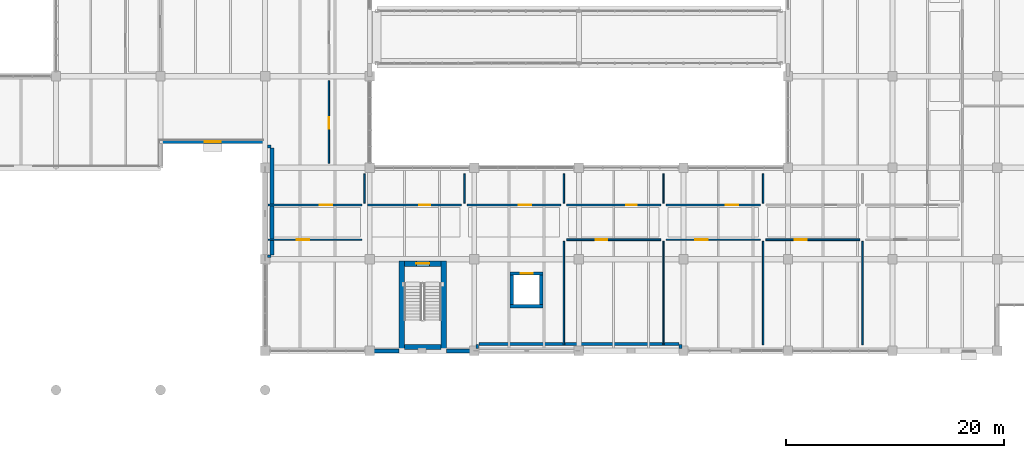
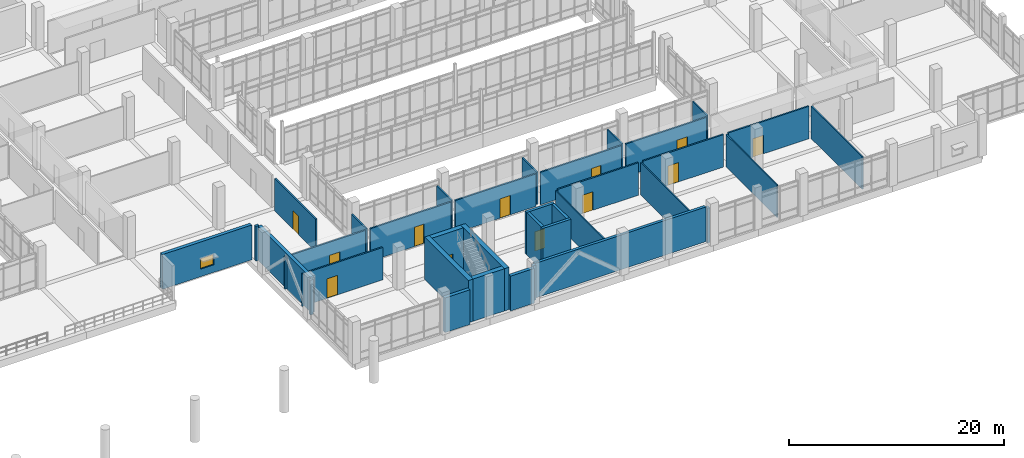
# One storey, part 127 of 152: 36 walls, 12 doors, 1 window, 13 openings.
"""IFC4 building model written with IfcOpenShell, lengths in metres."""

from ifc_helpers import new_model, si_unit, direction, frame, frame_2d, origin, place, context, subcontext, project, spatial, rectangle, extrude, material, layer, layer_set, type_object, element, fill, save


model = new_model("IFC4")

# Units and contexts
model_context = context("Model", 3, precision=1e-05, world=origin(), true_north=direction((0.0, 1.0)))
body_context = subcontext(model_context, "Body", "Model", "MODEL_VIEW")
ifc_project = project(units=[si_unit("LENGTHUNIT", "METRE"), si_unit("AREAUNIT", "SQUARE_METRE"), si_unit("VOLUMEUNIT", "CUBIC_METRE"), si_unit("PLANEANGLEUNIT", "RADIAN"), si_unit("MASSUNIT", "GRAM", prefix="KILO")], contexts=[model_context])

# Site, building, storey
site_placement = place(None, origin())
site = spatial("IfcSite", under=ifc_project, at=site_placement, CompositionType="ELEMENT")
building_placement = place(site_placement, origin())
building = spatial("IfcBuilding", under=site, at=building_placement, Name="Oolite Switchyard Hospital", CompositionType="ELEMENT")
storey_placement = place(building_placement, frame((0.0, 0.0, 5.10009765625)))
storey = spatial("IfcBuildingStorey", under=building, at=storey_placement, Name="L01", CompositionType="ELEMENT", Elevation=5.10009765625)

# Walls
ifc_material_1 = material(Name="Precast oolitic limestone architectural concrete C40/50", Category="masonry")
ifc_layer_1 = layer(ifc_material_1, 0.260009765625)
ifc_layer_set_1 = layer_set([ifc_layer_1], Name="WAL-EXT-260")
wall_type_1 = type_object("IfcWallType", Name="WAL-EXT-260", PredefinedType="SOLIDWALL", material=ifc_layer_set_1)
for number, where, z_axis, x_axis, name in (
    (1, (172.52001953125, 8.60009765625, 0.0), (0.0, 0.0, 1.0), (0.0, 1.0, 0.0), "L01 Brace Alcove Cheek Wall 76"),
    (2, (153.8798828125, 8.60009765625, 0.0), (0.0, 0.0, 1.0), (0.0, 1.0, 0.0), "L01 Brace Alcove Cheek Wall 77"),
    (3, (134.60009765625, 17.080078125, 0.0), (0.0, 0.0, 1.0), (1.0, 0.0, 0.0), "L01 Brace Alcove Cheek Wall 114"),
    (4, (134.60009765625, 27.159912109375, 0.0), (0.0, 0.0, 1.0), (1.0, 0.0, 0.0), "L01 Brace Alcove Cheek Wall 115"),
):
    element("IfcWall", number, at=place(storey_placement, frame(where, z_axis=z_axis, x_axis=x_axis)), inside=storey, type_object=wall_type_1, Name=name, PredefinedType="SOLIDWALL", context=body_context, shape_type="SweptSolid", body=[
        extrude(rectangle(XDim=0.35986328125, YDim=0.260009765625, at=frame_2d((0.179931640625, 0.0))), origin(), (0.0, 0.0, 1.0), 3.93994140625),
    ])
ifc_layer_2 = layer(ifc_material_1, 0.300048828125)
ifc_layer_set_2 = layer_set([ifc_layer_2], Name="WAL-EXT-300")
wall_type_2 = type_object("IfcWallType", Name="WAL-EXT-300", PredefinedType="SOLIDWALL", material=ifc_layer_set_2)
wall_1_placement = place(storey_placement, frame((172.3798828125, 9.02001953125, 0.0), z_axis=(0.0, 0.0, 1.0), x_axis=(-1.0, 0.0, 0.0)))
element("IfcWall", 5, at=wall_1_placement, inside=storey, type_object=wall_type_2, Name="L01 Exterior Spandrel Wall 78", PredefinedType="SOLIDWALL", context=body_context, shape_type="SweptSolid", body=[
    extrude(rectangle(XDim=18.35986328125, YDim=0.300048828125, at=frame_2d((9.179931640625, 0.0))), origin(), (0.0, 0.0, 1.0), 3.93994140625),
])
ifc_layer_3 = layer(ifc_material_1, 0.360107421875)
ifc_layer_set_3 = layer_set([ifc_layer_3], Name="WAL-EXT-360")
wall_type_3 = type_object("IfcWallType", Name="WAL-EXT-360", PredefinedType="SOLIDWALL", material=ifc_layer_set_3)
wall_2_placement = place(storey_placement, frame((153.60009765625, 8.39990234375, 0.0), z_axis=(0.0, 0.0, 1.0), x_axis=(-1.0, 0.0, 0.0)))
element("IfcWall", 6, at=wall_2_placement, inside=storey, type_object=wall_type_3, Name="L01 Exterior Spandrel Wall 74", PredefinedType="SOLIDWALL", context=body_context, shape_type="SweptSolid", body=[
    extrude(rectangle(XDim=2.5400390625, YDim=0.360107421875, at=frame_2d((1.27001953125, 0.0))), origin(), (0.0, 0.0, 1.0), 3.93994140625),
])

# Wall, opening, window
wall_3_placement = place(storey_placement, frame((134.39990234375, 27.60009765625, 0.0), z_axis=(0.0, 0.0, 1.0), x_axis=(-1.0, 0.0, 0.0)))
wall_3 = element("IfcWall", 7, at=wall_3_placement, inside=storey, type_object=wall_type_3, Name="L01 Exterior Spandrel Wall 81", PredefinedType="SOLIDWALL", context=body_context, shape_type="SweptSolid", body=[
    extrude(rectangle(XDim=9.599853515625, YDim=0.360107421875, at=frame_2d((4.7998046875, 0.0))), origin(), (0.0, 0.0, 1.0), 3.93994140625),
])
opening_1_placement = place(wall_3_placement, frame((4.074951171875, 0.0, 0.85009765625)))
opening_1 = element("IfcOpeningElement", 8, at=opening_1_placement, cuts=wall_3, Name="Opening WN-0026", PredefinedType="OPENING", context=body_context, shape_type="SweptSolid", body=[
    extrude(rectangle(XDim=1.449951171875, YDim=1.199951171875, at=frame_2d((0.72509765625, 0.60009765625))), frame((0.0, 0.18994140625, 0.0), z_axis=(0.0, -1.0, 0.0), x_axis=(1.0, 0.0, 0.0)), (0.0, 0.0, 1.0), 0.380126953125),
])
ifc_material_2 = material(Name="Thermally broken aluminum frame with laminated impact glazing", Category="aluminium")
window_type = type_object("IfcWindowType", Name="WIN-IMP-145X120", PartitioningType="SINGLE_PANEL", PredefinedType="WINDOW", material=ifc_material_2)
window_placement = place(opening_1_placement, origin())
window = element("IfcWindow", 9, at=window_placement, inside=storey, type_object=window_type, Name="L01 Hurricane Impact Window WN-0026", OverallHeight=1.199951171875, OverallWidth=1.449951171875, PartitioningType="SINGLE_PANEL", PredefinedType="WINDOW", context=body_context, shape_type="SweptSolid", body=[
    extrude(rectangle(XDim=1.449951171875, YDim=1.199951171875, at=frame_2d((0.72509765625, 0.60009765625))), frame((0.0, 0.030029296875, 0.0), z_axis=(0.0, -1.0, 0.0), x_axis=(1.0, 0.0, 0.0)), (0.0, 0.0, 1.0), 0.06005859375),
])
fill(opening_1, window)

# Walls
wall_4_placement = place(storey_placement, frame((135.02001953125, 17.219970703125, 0.0), z_axis=(0.0, 0.0, 1.0), x_axis=(0.0, 1.0, 0.0)))
element("IfcWall", 10, at=wall_4_placement, inside=storey, type_object=wall_type_3, Name="L01 Exterior Spandrel Wall 116", PredefinedType="SOLIDWALL", context=body_context, shape_type="SweptSolid", body=[
    extrude(rectangle(XDim=9.800048828125, YDim=0.360107421875, at=frame_2d((4.89990234375, 0.0))), origin(), (0.0, 0.0, 1.0), 3.93994140625),
])
ifc_layer_4 = layer(ifc_material_1, 0.3798828125)
ifc_layer_set_4 = layer_set([ifc_layer_4], Name="WAL-EXT-380")
wall_type_4 = type_object("IfcWallType", Name="WAL-EXT-380", PredefinedType="SOLIDWALL", material=ifc_layer_set_4)
wall_5_placement = place(storey_placement, frame((146.699951171875, 8.39990234375, 0.0), z_axis=(0.0, 0.0, 1.0), x_axis=(-1.0, 0.0, 0.0)))
element("IfcWall", 11, at=wall_5_placement, inside=storey, type_object=wall_type_4, Name="L01 Exterior Spandrel Wall 75", PredefinedType="SOLIDWALL", context=body_context, shape_type="SweptSolid", body=[
    extrude(rectangle(XDim=2.699951171875, YDim=0.3798828125, at=frame_2d((1.35009765625, 0.0))), origin(), (0.0, 0.0, 1.0), 3.93994140625),
])
ifc_material_3 = material(Name="Moisture-resistant gypsum board on steel studs", Category="steel")
ifc_layer_5 = layer(ifc_material_3, 0.135009765625)
ifc_layer_set_5 = layer_set([ifc_layer_5], Name="WAL-PART-135")
wall_type_5 = type_object("IfcWallType", Name="WAL-PART-135", PredefinedType="PARTITIONING", material=ifc_layer_set_5)
for number, where, z_axis, x_axis, name in (
    (12, (143.54296875, 21.949951171875, 0.0), (0.0, 0.0, 1.0), (0.0, 1.0, 0.0), "L01 Interior Partition 358"),
    (13, (152.68603515625, 21.949951171875, 0.0), (0.0, 0.0, 1.0), (0.0, 1.0, 0.0), "L01 Interior Partition 360"),
):
    element("IfcWall", number, at=place(storey_placement, frame(where, z_axis=z_axis, x_axis=x_axis)), inside=storey, type_object=wall_type_5, Name=name, PredefinedType="PARTITIONING", context=body_context, shape_type="SweptSolid", body=[
        extrude(rectangle(XDim=2.699951171875, YDim=0.135009765625, at=frame_2d((1.35009765625, 0.0))), origin(), (0.0, 0.0, 1.0), 3.679931640625),
    ])
wall_6_placement = place(storey_placement, frame((161.8291015625, 8.949951171875, 0.0), z_axis=(0.0, 0.0, 1.0), x_axis=(0.0, 1.0, 0.0)))
element("IfcWall", 14, at=wall_6_placement, inside=storey, type_object=wall_type_5, Name="L01 Interior Partition 362", PredefinedType="PARTITIONING", context=body_context, shape_type="SweptSolid", body=[
    extrude(rectangle(XDim=9.5, YDim=0.135009765625, at=frame_2d((4.75, 0.0))), origin(), (0.0, 0.0, 1.0), 3.679931640625),
])
wall_7_placement = place(storey_placement, frame((161.8291015625, 21.949951171875, 0.0), z_axis=(0.0, 0.0, 1.0), x_axis=(0.0, 1.0, 0.0)))
element("IfcWall", 15, at=wall_7_placement, inside=storey, type_object=wall_type_5, Name="L01 Interior Partition 364", PredefinedType="PARTITIONING", context=body_context, shape_type="SweptSolid", body=[
    extrude(rectangle(XDim=2.699951171875, YDim=0.135009765625, at=frame_2d((1.35009765625, 0.0))), origin(), (0.0, 0.0, 1.0), 3.679931640625),
])
wall_8_placement = place(storey_placement, frame((170.971923828125, 8.949951171875, 0.0), z_axis=(0.0, 0.0, 1.0), x_axis=(0.0, 1.0, 0.0)))
element("IfcWall", 16, at=wall_8_placement, inside=storey, type_object=wall_type_5, Name="L01 Interior Partition 366", PredefinedType="PARTITIONING", context=body_context, shape_type="SweptSolid", body=[
    extrude(rectangle(XDim=9.5, YDim=0.135009765625, at=frame_2d((4.75, 0.0))), origin(), (0.0, 0.0, 1.0), 3.679931640625),
])
wall_9_placement = place(storey_placement, frame((170.971923828125, 21.949951171875, 0.0), z_axis=(0.0, 0.0, 1.0), x_axis=(0.0, 1.0, 0.0)))
element("IfcWall", 17, at=wall_9_placement, inside=storey, type_object=wall_type_5, Name="L01 Interior Partition 368", PredefinedType="PARTITIONING", context=body_context, shape_type="SweptSolid", body=[
    extrude(rectangle(XDim=2.699951171875, YDim=0.135009765625, at=frame_2d((1.35009765625, 0.0))), origin(), (0.0, 0.0, 1.0), 3.679931640625),
])
wall_10_placement = place(storey_placement, frame((180.114990234375, 8.949951171875, 0.0), z_axis=(0.0, 0.0, 1.0), x_axis=(0.0, 1.0, 0.0)))
element("IfcWall", 18, at=wall_10_placement, inside=storey, type_object=wall_type_5, Name="L01 Interior Partition 370", PredefinedType="PARTITIONING", context=body_context, shape_type="SweptSolid", body=[
    extrude(rectangle(XDim=9.5, YDim=0.135009765625, at=frame_2d((4.75, 0.0))), origin(), (0.0, 0.0, 1.0), 3.679931640625),
])
wall_11_placement = place(storey_placement, frame((180.114990234375, 21.949951171875, 0.0), z_axis=(0.0, 0.0, 1.0), x_axis=(0.0, 1.0, 0.0)))
element("IfcWall", 19, at=wall_11_placement, inside=storey, type_object=wall_type_5, Name="L01 Interior Partition 372", PredefinedType="PARTITIONING", context=body_context, shape_type="SweptSolid", body=[
    extrude(rectangle(XDim=2.699951171875, YDim=0.135009765625, at=frame_2d((1.35009765625, 0.0))), origin(), (0.0, 0.0, 1.0), 3.679931640625),
])
wall_12_placement = place(storey_placement, frame((189.258056640625, 8.949951171875, 0.0), z_axis=(0.0, 0.0, 1.0), x_axis=(0.0, 1.0, 0.0)))
element("IfcWall", 20, at=wall_12_placement, inside=storey, type_object=wall_type_5, Name="L01 Interior Partition 374", PredefinedType="PARTITIONING", context=body_context, shape_type="SweptSolid", body=[
    extrude(rectangle(XDim=9.5, YDim=0.135009765625, at=frame_2d((4.75, 0.0))), origin(), (0.0, 0.0, 1.0), 3.679931640625),
])

# Wall, opening, door
ifc_layer_6 = layer(ifc_material_3, 0.14990234375)
ifc_layer_set_6 = layer_set([ifc_layer_6], Name="WAL-PART-150")
wall_type_6 = type_object("IfcWallType", Name="WAL-PART-150", PredefinedType="PARTITIONING", material=ifc_layer_set_6)
wall_13_placement = place(storey_placement, frame((140.25, 25.60009765625, 0.0), z_axis=(0.0, 0.0, 1.0), x_axis=(0.0, 1.0, 0.0)))
wall_13 = element("IfcWall", 21, at=wall_13_placement, inside=storey, type_object=wall_type_6, Name="L01 Interior Partition 973", PredefinedType="PARTITIONING", context=body_context, shape_type="SweptSolid", body=[
    extrude(rectangle(XDim=7.599853515625, YDim=0.14990234375, at=frame_2d((3.7998046875, 0.0))), origin(), (0.0, 0.0, 1.0), 3.679931640625),
])
opening_2_placement = place(wall_13_placement, frame((3.199951171875, 0.0, 0.0)))
opening_2 = element("IfcOpeningElement", 22, at=opening_2_placement, cuts=wall_13, Name="Opening D-0541", PredefinedType="OPENING", context=body_context, shape_type="SweptSolid", body=[
    extrude(rectangle(XDim=1.050048828125, YDim=2.10009765625, at=frame_2d((0.52490234375, 1.050048828125))), frame((0.0, 0.0849609375, 0.0), z_axis=(0.0, -1.0, 0.0), x_axis=(1.0, 0.0, 0.0)), (0.0, 0.0, 1.0), 0.169921875),
])
ifc_material_4 = material(Name="Solid-core antimicrobial hardwood leaf in steel frame", Category="steel")
door_type_1 = type_object("IfcDoorType", Name="DR-EXAM-105X210", OperationType="NOTDEFINED", PredefinedType="DOOR", material=ifc_material_4)
door_1_placement = place(opening_2_placement, origin())
door_1 = element("IfcDoor", 23, at=door_1_placement, inside=storey, type_object=door_type_1, Name="L01 Interior Door D-0541", OperationType="SINGLE_SWING_LEFT", OverallHeight=2.10009765625, OverallWidth=1.050048828125, PredefinedType="DOOR", context=body_context, shape_type="SweptSolid", body=[
    extrude(rectangle(XDim=1.050048828125, YDim=2.10009765625, at=frame_2d((0.52490234375, 1.050048828125))), frame((0.0, 0.02490234375, 0.0), z_axis=(0.0, -1.0, 0.0), x_axis=(1.0, 0.0, 0.0)), (0.0, 0.0, 1.0), 0.050048828125),
])
fill(opening_2, door_1)

ifc_layer_7 = layer(ifc_material_3, 0.1650390625)
ifc_layer_set_7 = layer_set([ifc_layer_7], Name="WAL-PART-165")
wall_type_7 = type_object("IfcWallType", Name="WAL-PART-165", PredefinedType="PARTITIONING", material=ifc_layer_set_7)
wall_14_placement = place(storey_placement, frame((134.64990234375, 18.60009765625, 0.0), z_axis=(0.0, 0.0, 1.0), x_axis=(1.0, 0.0, 0.0)))
wall_14 = element("IfcWall", 24, at=wall_14_placement, inside=storey, type_object=wall_type_7, Name="L01 Interior Partition 355", PredefinedType="PARTITIONING", context=body_context, shape_type="SweptSolid", body=[
    extrude(rectangle(XDim=8.64306640625, YDim=0.1650390625, at=frame_2d((4.321533203125, 0.0))), origin(), (0.0, 0.0, 1.0), 3.679931640625),
])
opening_3_placement = place(wall_14_placement, frame((2.64990234375, 0.0, 0.0)))
opening_3 = element("IfcOpeningElement", 25, at=opening_3_placement, cuts=wall_14, Name="Opening D-0203", PredefinedType="OPENING", context=body_context, shape_type="SweptSolid", body=[
    extrude(rectangle(XDim=1.14990234375, YDim=2.199951171875, at=frame_2d((0.574951171875, 1.10009765625))), frame((0.0, 0.092529296875, 0.0), z_axis=(0.0, -1.0, 0.0), x_axis=(1.0, 0.0, 0.0)), (0.0, 0.0, 1.0), 0.18505859375),
])
door_type_2 = type_object("IfcDoorType", Name="DR-CLIN-115X220", OperationType="NOTDEFINED", PredefinedType="DOOR", material=ifc_material_4)
door_2_placement = place(opening_3_placement, origin())
door_2 = element("IfcDoor", 26, at=door_2_placement, inside=storey, type_object=door_type_2, Name="L01 Interior Door D-0203", OperationType="SINGLE_SWING_LEFT", OverallHeight=2.199951171875, OverallWidth=1.14990234375, PredefinedType="DOOR", context=body_context, shape_type="SweptSolid", body=[
    extrude(rectangle(XDim=1.14990234375, YDim=2.199951171875, at=frame_2d((0.574951171875, 1.10009765625))), frame((0.0, 0.02490234375, 0.0), z_axis=(0.0, -1.0, 0.0), x_axis=(1.0, 0.0, 0.0)), (0.0, 0.0, 1.0), 0.050048828125),
])
fill(opening_3, door_2)

wall_15_placement = place(storey_placement, frame((134.64990234375, 21.800048828125, 0.0), z_axis=(0.0, 0.0, 1.0), x_axis=(1.0, 0.0, 0.0)))
wall_15 = element("IfcWall", 27, at=wall_15_placement, inside=storey, type_object=wall_type_7, Name="L01 Interior Partition 356", PredefinedType="PARTITIONING", context=body_context, shape_type="SweptSolid", body=[
    extrude(rectangle(XDim=8.64306640625, YDim=0.1650390625, at=frame_2d((4.321533203125, 0.0))), origin(), (0.0, 0.0, 1.0), 3.679931640625),
])
opening_4_placement = place(wall_15_placement, frame((4.75, 0.0, 0.0)))
opening_4 = element("IfcOpeningElement", 28, at=opening_4_placement, cuts=wall_15, Name="Opening D-0204", PredefinedType="OPENING", context=body_context, shape_type="SweptSolid", body=[
    extrude(rectangle(XDim=1.14990234375, YDim=2.199951171875, at=frame_2d((0.574951171875, 1.10009765625))), frame((0.0, 0.092529296875, 0.0), z_axis=(0.0, -1.0, 0.0), x_axis=(1.0, 0.0, 0.0)), (0.0, 0.0, 1.0), 0.18505859375),
])
door_3_placement = place(opening_4_placement, origin())
door_3 = element("IfcDoor", 29, at=door_3_placement, inside=storey, type_object=door_type_2, Name="L01 Interior Door D-0204", OperationType="SINGLE_SWING_RIGHT", OverallHeight=2.199951171875, OverallWidth=1.14990234375, PredefinedType="DOOR", context=body_context, shape_type="SweptSolid", body=[
    extrude(rectangle(XDim=1.14990234375, YDim=2.199951171875, at=frame_2d((0.574951171875, 1.10009765625))), frame((0.0, 0.02490234375, 0.0), z_axis=(0.0, -1.0, 0.0), x_axis=(1.0, 0.0, 0.0)), (0.0, 0.0, 1.0), 0.050048828125),
])
fill(opening_4, door_3)

wall_16_placement = place(storey_placement, frame((143.79296875, 21.800048828125, 0.0), z_axis=(0.0, 0.0, 1.0), x_axis=(1.0, 0.0, 0.0)))
wall_16 = element("IfcWall", 30, at=wall_16_placement, inside=storey, type_object=wall_type_7, Name="L01 Interior Partition 357", PredefinedType="PARTITIONING", context=body_context, shape_type="SweptSolid", body=[
    extrude(rectangle(XDim=8.64306640625, YDim=0.1650390625, at=frame_2d((4.321533203125, 0.0))), origin(), (0.0, 0.0, 1.0), 3.679931640625),
])
opening_5_placement = place(wall_16_placement, frame((4.75, 0.0, 0.0)))
opening_5 = element("IfcOpeningElement", 31, at=opening_5_placement, cuts=wall_16, Name="Opening D-0205", PredefinedType="OPENING", context=body_context, shape_type="SweptSolid", body=[
    extrude(rectangle(XDim=1.0, YDim=2.199951171875, at=frame_2d((0.5, 1.10009765625))), frame((0.0, 0.092529296875, 0.0), z_axis=(0.0, -1.0, 0.0), x_axis=(1.0, 0.0, 0.0)), (0.0, 0.0, 1.0), 0.18505859375),
])
door_type_3 = type_object("IfcDoorType", Name="DR-OFF-100X220", OperationType="NOTDEFINED", PredefinedType="DOOR", material=ifc_material_4)
door_4_placement = place(opening_5_placement, origin())
door_4 = element("IfcDoor", 32, at=door_4_placement, inside=storey, type_object=door_type_3, Name="L01 Interior Door D-0205", OperationType="SINGLE_SWING_LEFT", OverallHeight=2.199951171875, OverallWidth=1.0, PredefinedType="DOOR", context=body_context, shape_type="SweptSolid", body=[
    extrude(rectangle(XDim=1.0, YDim=2.199951171875, at=frame_2d((0.5, 1.10009765625))), frame((0.0, 0.02490234375, 0.0), z_axis=(0.0, -1.0, 0.0), x_axis=(1.0, 0.0, 0.0)), (0.0, 0.0, 1.0), 0.050048828125),
])
fill(opening_5, door_4)

wall_17_placement = place(storey_placement, frame((152.93603515625, 21.800048828125, 0.0), z_axis=(0.0, 0.0, 1.0), x_axis=(1.0, 0.0, 0.0)))
wall_17 = element("IfcWall", 33, at=wall_17_placement, inside=storey, type_object=wall_type_7, Name="L01 Interior Partition 359", PredefinedType="PARTITIONING", context=body_context, shape_type="SweptSolid", body=[
    extrude(rectangle(XDim=8.64306640625, YDim=0.1650390625, at=frame_2d((4.321533203125, 0.0))), origin(), (0.0, 0.0, 1.0), 3.679931640625),
])
opening_6_placement = place(wall_17_placement, frame((4.75, 0.0, 0.0)))
opening_6 = element("IfcOpeningElement", 34, at=opening_6_placement, cuts=wall_17, Name="Opening D-0206", PredefinedType="OPENING", context=body_context, shape_type="SweptSolid", body=[
    extrude(rectangle(XDim=1.14990234375, YDim=2.199951171875, at=frame_2d((0.574951171875, 1.10009765625))), frame((0.0, 0.092529296875, 0.0), z_axis=(0.0, -1.0, 0.0), x_axis=(1.0, 0.0, 0.0)), (0.0, 0.0, 1.0), 0.18505859375),
])
door_5_placement = place(opening_6_placement, origin())
door_5 = element("IfcDoor", 35, at=door_5_placement, inside=storey, type_object=door_type_2, Name="L01 Interior Door D-0206", OperationType="SINGLE_SWING_RIGHT", OverallHeight=2.199951171875, OverallWidth=1.14990234375, PredefinedType="DOOR", context=body_context, shape_type="SweptSolid", body=[
    extrude(rectangle(XDim=1.14990234375, YDim=2.199951171875, at=frame_2d((0.574951171875, 1.10009765625))), frame((0.0, 0.02490234375, 0.0), z_axis=(0.0, -1.0, 0.0), x_axis=(1.0, 0.0, 0.0)), (0.0, 0.0, 1.0), 0.050048828125),
])
fill(opening_6, door_5)

wall_18_placement = place(storey_placement, frame((162.0791015625, 18.60009765625, 0.0), z_axis=(0.0, 0.0, 1.0), x_axis=(1.0, 0.0, 0.0)))
wall_18 = element("IfcWall", 36, at=wall_18_placement, inside=storey, type_object=wall_type_7, Name="L01 Interior Partition 361", PredefinedType="PARTITIONING", context=body_context, shape_type="SweptSolid", body=[
    extrude(rectangle(XDim=8.642822265625, YDim=0.1650390625, at=frame_2d((4.3212890625, 0.0))), origin(), (0.0, 0.0, 1.0), 3.679931640625),
])
opening_7_placement = place(wall_18_placement, frame((2.64990234375, 0.0, 0.0)))
opening_7 = element("IfcOpeningElement", 37, at=opening_7_placement, cuts=wall_18, Name="Opening D-0207", PredefinedType="OPENING", context=body_context, shape_type="SweptSolid", body=[
    extrude(rectangle(XDim=1.10009765625, YDim=2.10009765625, at=frame_2d((0.550048828125, 1.050048828125))), frame((0.0, 0.092529296875, 0.0), z_axis=(0.0, -1.0, 0.0), x_axis=(1.0, 0.0, 0.0)), (0.0, 0.0, 1.0), 0.18505859375),
])
door_type_4 = type_object("IfcDoorType", Name="DR-CLIN-110X210", OperationType="NOTDEFINED", PredefinedType="DOOR", material=ifc_material_4)
door_6_placement = place(opening_7_placement, origin())
door_6 = element("IfcDoor", 38, at=door_6_placement, inside=storey, type_object=door_type_4, Name="L01 Interior Door D-0207", OperationType="SINGLE_SWING_RIGHT", OverallHeight=2.10009765625, OverallWidth=1.10009765625, PredefinedType="DOOR", context=body_context, shape_type="SweptSolid", body=[
    extrude(rectangle(XDim=1.10009765625, YDim=2.10009765625, at=frame_2d((0.550048828125, 1.050048828125))), frame((0.0, 0.02490234375, 0.0), z_axis=(0.0, -1.0, 0.0), x_axis=(1.0, 0.0, 0.0)), (0.0, 0.0, 1.0), 0.050048828125),
])
fill(opening_7, door_6)

wall_19_placement = place(storey_placement, frame((162.0791015625, 21.800048828125, 0.0), z_axis=(0.0, 0.0, 1.0), x_axis=(1.0, 0.0, 0.0)))
wall_19 = element("IfcWall", 39, at=wall_19_placement, inside=storey, type_object=wall_type_7, Name="L01 Interior Partition 363", PredefinedType="PARTITIONING", context=body_context, shape_type="SweptSolid", body=[
    extrude(rectangle(XDim=8.642822265625, YDim=0.1650390625, at=frame_2d((4.3212890625, 0.0))), origin(), (0.0, 0.0, 1.0), 3.679931640625),
])
opening_8_placement = place(wall_19_placement, frame((5.449951171875, 0.0, 0.0)))
opening_8 = element("IfcOpeningElement", 40, at=opening_8_placement, cuts=wall_19, Name="Opening D-0208", PredefinedType="OPENING", context=body_context, shape_type="SweptSolid", body=[
    extrude(rectangle(XDim=1.0, YDim=2.199951171875, at=frame_2d((0.5, 1.10009765625))), frame((0.0, 0.092529296875, 0.0), z_axis=(0.0, -1.0, 0.0), x_axis=(1.0, 0.0, 0.0)), (0.0, 0.0, 1.0), 0.18505859375),
])
door_7_placement = place(opening_8_placement, origin())
door_7 = element("IfcDoor", 41, at=door_7_placement, inside=storey, type_object=door_type_3, Name="L01 Interior Door D-0208", OperationType="SINGLE_SWING_LEFT", OverallHeight=2.199951171875, OverallWidth=1.0, PredefinedType="DOOR", context=body_context, shape_type="SweptSolid", body=[
    extrude(rectangle(XDim=1.0, YDim=2.199951171875, at=frame_2d((0.5, 1.10009765625))), frame((0.0, 0.02490234375, 0.0), z_axis=(0.0, -1.0, 0.0), x_axis=(1.0, 0.0, 0.0)), (0.0, 0.0, 1.0), 0.050048828125),
])
fill(opening_8, door_7)

wall_20_placement = place(storey_placement, frame((171.221923828125, 18.60009765625, 0.0), z_axis=(0.0, 0.0, 1.0), x_axis=(1.0, 0.0, 0.0)))
wall_20 = element("IfcWall", 42, at=wall_20_placement, inside=storey, type_object=wall_type_7, Name="L01 Interior Partition 365", PredefinedType="PARTITIONING", context=body_context, shape_type="SweptSolid", body=[
    extrude(rectangle(XDim=8.64306640625, YDim=0.1650390625, at=frame_2d((4.321533203125, 0.0))), origin(), (0.0, 0.0, 1.0), 3.679931640625),
])
opening_9_placement = place(wall_20_placement, frame((2.64990234375, 0.0, 0.0)))
opening_9 = element("IfcOpeningElement", 43, at=opening_9_placement, cuts=wall_20, Name="Opening D-0209", PredefinedType="OPENING", context=body_context, shape_type="SweptSolid", body=[
    extrude(rectangle(XDim=1.14990234375, YDim=2.199951171875, at=frame_2d((0.574951171875, 1.10009765625))), frame((0.0, 0.092529296875, 0.0), z_axis=(0.0, -1.0, 0.0), x_axis=(1.0, 0.0, 0.0)), (0.0, 0.0, 1.0), 0.18505859375),
])
door_8_placement = place(opening_9_placement, origin())
door_8 = element("IfcDoor", 44, at=door_8_placement, inside=storey, type_object=door_type_2, Name="L01 Interior Door D-0209", OperationType="SINGLE_SWING_LEFT", OverallHeight=2.199951171875, OverallWidth=1.14990234375, PredefinedType="DOOR", context=body_context, shape_type="SweptSolid", body=[
    extrude(rectangle(XDim=1.14990234375, YDim=2.199951171875, at=frame_2d((0.574951171875, 1.10009765625))), frame((0.0, 0.02490234375, 0.0), z_axis=(0.0, -1.0, 0.0), x_axis=(1.0, 0.0, 0.0)), (0.0, 0.0, 1.0), 0.050048828125),
])
fill(opening_9, door_8)

wall_21_placement = place(storey_placement, frame((171.221923828125, 21.800048828125, 0.0), z_axis=(0.0, 0.0, 1.0), x_axis=(1.0, 0.0, 0.0)))
wall_21 = element("IfcWall", 45, at=wall_21_placement, inside=storey, type_object=wall_type_7, Name="L01 Interior Partition 367", PredefinedType="PARTITIONING", context=body_context, shape_type="SweptSolid", body=[
    extrude(rectangle(XDim=8.64306640625, YDim=0.1650390625, at=frame_2d((4.321533203125, 0.0))), origin(), (0.0, 0.0, 1.0), 3.679931640625),
])
opening_10_placement = place(wall_21_placement, frame((5.449951171875, 0.0, 0.0)))
opening_10 = element("IfcOpeningElement", 46, at=opening_10_placement, cuts=wall_21, Name="Opening D-0210", PredefinedType="OPENING", context=body_context, shape_type="SweptSolid", body=[
    extrude(rectangle(XDim=1.14990234375, YDim=2.199951171875, at=frame_2d((0.574951171875, 1.10009765625))), frame((0.0, 0.092529296875, 0.0), z_axis=(0.0, -1.0, 0.0), x_axis=(1.0, 0.0, 0.0)), (0.0, 0.0, 1.0), 0.18505859375),
])
door_9_placement = place(opening_10_placement, origin())
door_9 = element("IfcDoor", 47, at=door_9_placement, inside=storey, type_object=door_type_2, Name="L01 Interior Door D-0210", OperationType="SINGLE_SWING_RIGHT", OverallHeight=2.199951171875, OverallWidth=1.14990234375, PredefinedType="DOOR", context=body_context, shape_type="SweptSolid", body=[
    extrude(rectangle(XDim=1.14990234375, YDim=2.199951171875, at=frame_2d((0.574951171875, 1.10009765625))), frame((0.0, 0.02490234375, 0.0), z_axis=(0.0, -1.0, 0.0), x_axis=(1.0, 0.0, 0.0)), (0.0, 0.0, 1.0), 0.050048828125),
])
fill(opening_10, door_9)

wall_22_placement = place(storey_placement, frame((180.364990234375, 18.60009765625, 0.0), z_axis=(0.0, 0.0, 1.0), x_axis=(1.0, 0.0, 0.0)))
wall_22 = element("IfcWall", 48, at=wall_22_placement, inside=storey, type_object=wall_type_7, Name="L01 Interior Partition 369", PredefinedType="PARTITIONING", context=body_context, shape_type="SweptSolid", body=[
    extrude(rectangle(XDim=8.64306640625, YDim=0.1650390625, at=frame_2d((4.321533203125, 0.0))), origin(), (0.0, 0.0, 1.0), 3.679931640625),
])
opening_11_placement = place(wall_22_placement, frame((2.64990234375, 0.0, 0.0)))
opening_11 = element("IfcOpeningElement", 49, at=opening_11_placement, cuts=wall_22, Name="Opening D-0211", PredefinedType="OPENING", context=body_context, shape_type="SweptSolid", body=[
    extrude(rectangle(XDim=1.10009765625, YDim=2.10009765625, at=frame_2d((0.550048828125, 1.050048828125))), frame((0.0, 0.092529296875, 0.0), z_axis=(0.0, -1.0, 0.0), x_axis=(1.0, 0.0, 0.0)), (0.0, 0.0, 1.0), 0.18505859375),
])
door_10_placement = place(opening_11_placement, origin())
door_10 = element("IfcDoor", 50, at=door_10_placement, inside=storey, type_object=door_type_4, Name="L01 Interior Door D-0211", OperationType="SINGLE_SWING_RIGHT", OverallHeight=2.10009765625, OverallWidth=1.10009765625, PredefinedType="DOOR", context=body_context, shape_type="SweptSolid", body=[
    extrude(rectangle(XDim=1.10009765625, YDim=2.10009765625, at=frame_2d((0.550048828125, 1.050048828125))), frame((0.0, 0.02490234375, 0.0), z_axis=(0.0, -1.0, 0.0), x_axis=(1.0, 0.0, 0.0)), (0.0, 0.0, 1.0), 0.050048828125),
])
fill(opening_11, door_10)

# Walls
ifc_material_5 = material(Name="Concrete C50/60", Category="concrete")
ifc_layer_8 = layer(ifc_material_5, 0.300048828125)
ifc_layer_set_8 = layer_set([ifc_layer_8], Name="WAL-SHR-300")
wall_type_8 = type_object("IfcWallType", Name="WAL-SHR-300", PredefinedType="SHEAR", material=ifc_layer_set_8)
wall_23_placement = place(storey_placement, frame((156.89990234375, 12.5, 0.0), z_axis=(0.0, 0.0, 1.0), x_axis=(1.0, 0.0, 0.0)))
element("IfcWall", 51, at=wall_23_placement, inside=storey, type_object=wall_type_8, Name="L01 Lift Shaft Shear Wall EL-11", PredefinedType="SHEAR", context=body_context, shape_type="SweptSolid", body=[
    extrude(rectangle(XDim=3.0, YDim=0.300048828125, at=frame_2d((1.5, 0.0))), origin(), (0.0, 0.0, 1.0), 4.7998046875),
])
wall_24_placement = place(storey_placement, frame((159.75, 12.64990234375, 0.0), z_axis=(0.0, 0.0, 1.0), x_axis=(0.0, 1.0, 0.0)))
element("IfcWall", 52, at=wall_24_placement, inside=storey, type_object=wall_type_8, Name="L01 Lift Shaft Shear Wall EL-11", PredefinedType="SHEAR", context=body_context, shape_type="SweptSolid", body=[
    extrude(rectangle(XDim=2.7001953125, YDim=0.300048828125, at=frame_2d((1.35009765625, 0.0))), origin(), (0.0, 0.0, 1.0), 4.7998046875),
])

# Wall, opening, door
wall_25_placement = place(storey_placement, frame((159.89990234375, 15.5, 0.0), z_axis=(0.0, 0.0, 1.0), x_axis=(-1.0, 0.0, 0.0)))
wall_25 = element("IfcWall", 53, at=wall_25_placement, inside=storey, type_object=wall_type_8, Name="L01 Lift Shaft Shear Wall EL-11", PredefinedType="SHEAR", context=body_context, shape_type="SweptSolid", body=[
    extrude(rectangle(XDim=3.0, YDim=0.300048828125, at=frame_2d((1.5, 0.0))), origin(), (0.0, 0.0, 1.0), 4.7998046875),
])
opening_12_placement = place(wall_25_placement, frame((0.949951171875, 0.0, 0.0)))
opening_12 = element("IfcOpeningElement", 54, at=opening_12_placement, cuts=wall_25, Name="Opening LD-069", PredefinedType="OPENING", context=body_context, shape_type="SweptSolid", body=[
    extrude(rectangle(XDim=1.10009765625, YDim=2.199951171875, at=frame_2d((0.550048828125, 1.10009765625))), frame((0.0, 0.16015625, 0.0), z_axis=(0.0, -1.0, 0.0), x_axis=(1.0, 0.0, 0.0)), (0.0, 0.0, 1.0), 0.320068359375),
])
ifc_material_6 = material(Name="Brushed stainless steel fire-rated sliding landing door", Category="steel")
door_type_5 = type_object("IfcDoorType", Name="DR-LD-110X220", OperationType="NOTDEFINED", PredefinedType="DOOR", material=ifc_material_6)
door_11_placement = place(opening_12_placement, origin())
door_11 = element("IfcDoor", 55, at=door_11_placement, inside=storey, type_object=door_type_5, Name="L01 EL-11 Lift Landing Door LD-069", OperationType="SLIDING_TO_LEFT", OverallHeight=2.199951171875, OverallWidth=1.10009765625, PredefinedType="DOOR", context=body_context, shape_type="SweptSolid", body=[
    extrude(rectangle(XDim=1.10009765625, YDim=2.199951171875, at=frame_2d((0.550048828125, 1.10009765625))), frame((0.0, 0.02490234375, 0.0), z_axis=(0.0, -1.0, 0.0), x_axis=(1.0, 0.0, 0.0)), (0.0, 0.0, 1.0), 0.050048828125),
])
fill(opening_12, door_11)

# Walls
wall_26_placement = place(storey_placement, frame((157.050048828125, 15.35009765625, 0.0), z_axis=(0.0, 0.0, 1.0), x_axis=(0.0, -1.0, 0.0)))
element("IfcWall", 56, at=wall_26_placement, inside=storey, type_object=wall_type_8, Name="L01 Lift Shaft Shear Wall EL-11", PredefinedType="SHEAR", context=body_context, shape_type="SweptSolid", body=[
    extrude(rectangle(XDim=2.7001953125, YDim=0.300048828125, at=frame_2d((1.35009765625, 0.0))), origin(), (0.0, 0.0, 1.0), 4.7998046875),
])
ifc_layer_9 = layer(ifc_material_5, 0.5)
ifc_layer_set_9 = layer_set([ifc_layer_9], Name="WAL-SHR-500")
wall_type_9 = type_object("IfcWallType", Name="WAL-SHR-500", PredefinedType="SHEAR", material=ifc_layer_set_9)
wall_27_placement = place(storey_placement, frame((146.949951171875, 16.64990234375, 0.0), z_axis=(0.0, 0.0, 1.0), x_axis=(0.0, -1.0, 0.0)))
element("IfcWall", 57, at=wall_27_placement, inside=storey, type_object=wall_type_9, Name="L01 Core Shear Wall ST-05", PredefinedType="SHEAR", context=body_context, shape_type="SweptSolid", body=[
    extrude(rectangle(XDim=8.14990234375, YDim=0.5, at=frame_2d((4.074951171875, 0.0))), origin(), (0.0, 0.0, 1.0), 4.7998046875),
])
wall_28_placement = place(storey_placement, frame((147.199951171875, 8.75, 0.0), z_axis=(0.0, 0.0, 1.0), x_axis=(1.0, 0.0, 0.0)))
element("IfcWall", 58, at=wall_28_placement, inside=storey, type_object=wall_type_9, Name="L01 Core Shear Wall ST-05", PredefinedType="SHEAR", context=body_context, shape_type="SweptSolid", body=[
    extrude(rectangle(XDim=3.360107421875, YDim=0.5, at=frame_2d((1.68017578125, 0.0))), origin(), (0.0, 0.0, 1.0), 4.7998046875),
])
wall_29_placement = place(storey_placement, frame((150.81005859375, 8.5, 0.0), z_axis=(0.0, 0.0, 1.0), x_axis=(0.0, 1.0, 0.0)))
element("IfcWall", 59, at=wall_29_placement, inside=storey, type_object=wall_type_9, Name="L01 Core Shear Wall ST-05", PredefinedType="SHEAR", context=body_context, shape_type="SweptSolid", body=[
    extrude(rectangle(XDim=8.14990234375, YDim=0.5, at=frame_2d((4.074951171875, 0.0))), origin(), (0.0, 0.0, 1.0), 4.7998046875),
])

# Wall, opening, door
wall_30_placement = place(storey_placement, frame((150.56005859375, 16.39990234375, 0.0), z_axis=(0.0, 0.0, 1.0), x_axis=(-1.0, 0.0, 0.0)))
wall_30 = element("IfcWall", 60, at=wall_30_placement, inside=storey, type_object=wall_type_9, Name="L01 Core Shear Wall ST-05", PredefinedType="SHEAR", context=body_context, shape_type="SweptSolid", body=[
    extrude(rectangle(XDim=3.360107421875, YDim=0.5, at=frame_2d((1.68017578125, 0.0))), origin(), (0.0, 0.0, 1.0), 4.7998046875),
])
opening_13_placement = place(wall_30_placement, frame((1.080078125, 0.0, 0.0)))
opening_13 = element("IfcOpeningElement", 61, at=opening_13_placement, cuts=wall_30, Name="Opening SD-034", PredefinedType="OPENING", context=body_context, shape_type="SweptSolid", body=[
    extrude(rectangle(XDim=1.199951171875, YDim=2.199951171875, at=frame_2d((0.60009765625, 1.10009765625))), frame((0.0, 0.260009765625, 0.0), z_axis=(0.0, -1.0, 0.0), x_axis=(1.0, 0.0, 0.0)), (0.0, 0.0, 1.0), 0.52001953125),
])
ifc_material_7 = material(Name="Hollow metal fire-rated steel door assembly", Category="steel")
door_type_6 = type_object("IfcDoorType", Name="DR-STR-120X220", OperationType="NOTDEFINED", PredefinedType="DOOR", material=ifc_material_7)
door_12_placement = place(opening_13_placement, origin())
door_12 = element("IfcDoor", 62, at=door_12_placement, inside=storey, type_object=door_type_6, Name="L01 ST-05 Exit Stair Door SD-034", OperationType="SINGLE_SWING_RIGHT", OverallHeight=2.199951171875, OverallWidth=1.199951171875, PredefinedType="DOOR", context=body_context, shape_type="SweptSolid", body=[
    extrude(rectangle(XDim=1.199951171875, YDim=2.199951171875, at=frame_2d((0.60009765625, 1.10009765625))), frame((0.0, 0.02490234375, 0.0), z_axis=(0.0, -1.0, 0.0), x_axis=(1.0, 0.0, 0.0)), (0.0, 0.0, 1.0), 0.050048828125),
])
fill(opening_13, door_12)

save(model, "model.ifc")
